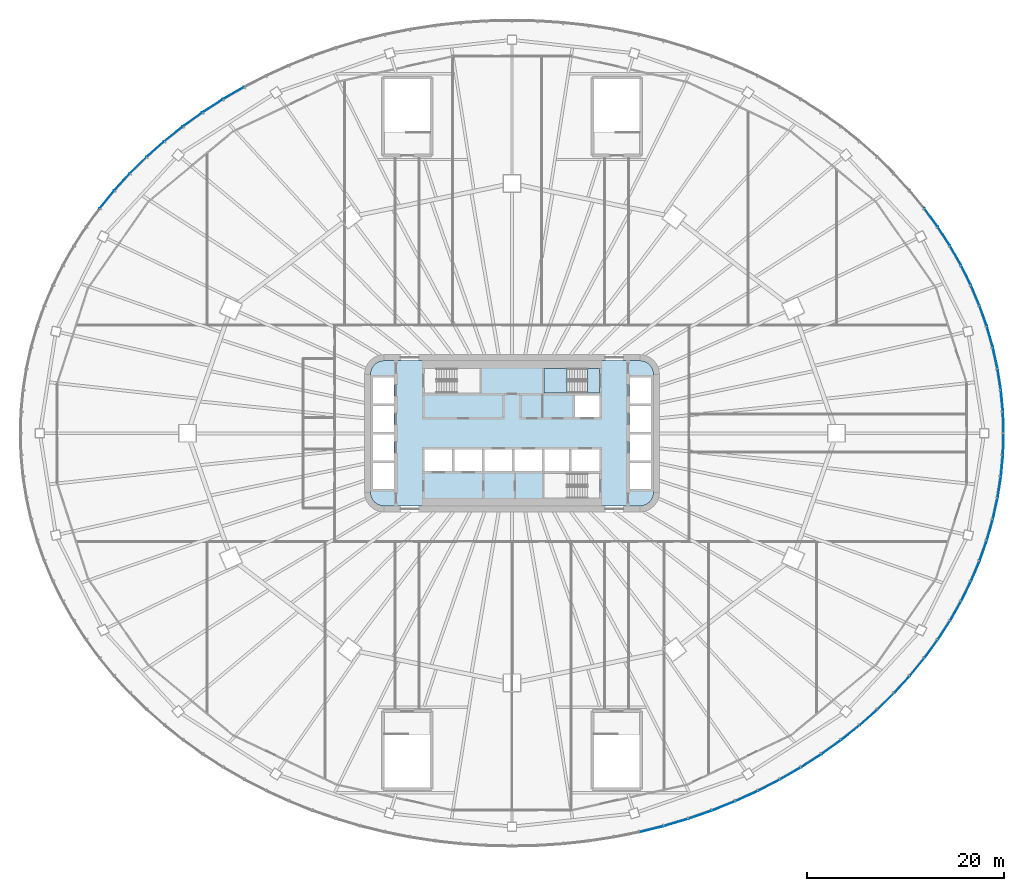
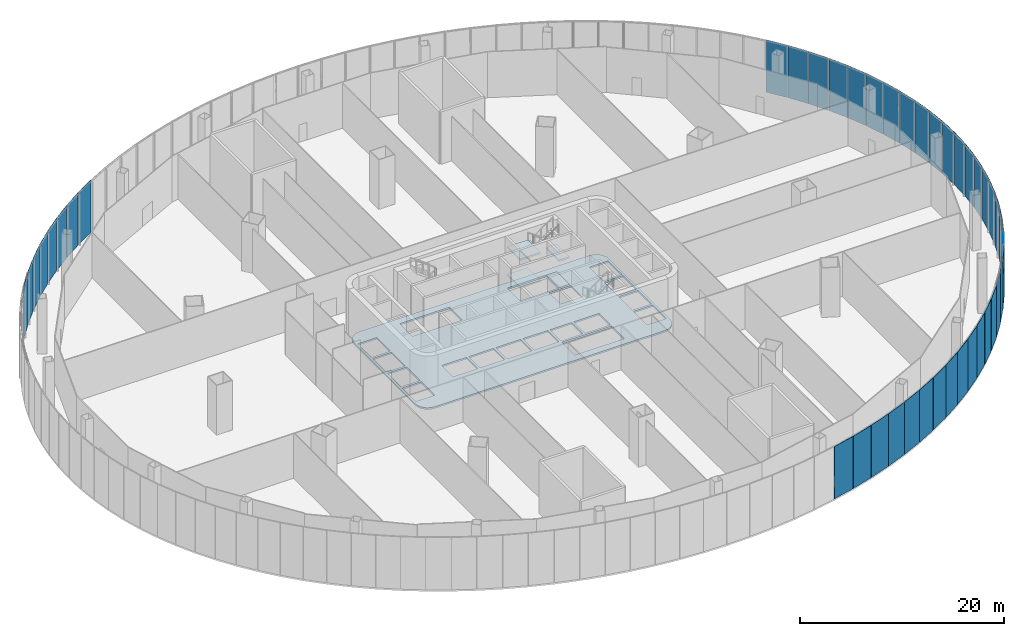
# One storey, part 17 of 33: 44 plates, 5 slabs, 11 elements without a shape of their own.
"""IFC4 building model written with IfcOpenShell, lengths in metres."""

from ifc_helpers import new_model, si_unit, direction, frame, origin, place, context, subcontext, project, spatial, polyline, outline, extrude, material, layer, layer_set, type_object, element, aggregate, save


model = new_model("IFC4")

# Units and contexts
model_context = context("Model", 3, precision=1e-05, world=origin(), true_north=direction((0.0, 1.0)))
body_context = subcontext(model_context, "Body", "Model", "MODEL_VIEW")
ifc_project = project(units=[si_unit("LENGTHUNIT", "METRE"), si_unit("AREAUNIT", "SQUARE_METRE"), si_unit("VOLUMEUNIT", "CUBIC_METRE"), si_unit("PLANEANGLEUNIT", "RADIAN"), si_unit("MASSUNIT", "GRAM", prefix="KILO")], contexts=[model_context])

# Site, building, storey
site_placement = place(None, origin())
site = spatial("IfcSite", under=ifc_project, at=site_placement, CompositionType="ELEMENT")
building_placement = place(site_placement, origin())
building = spatial("IfcBuilding", under=site, at=building_placement, Name="Sahrelin Media Tower", CompositionType="ELEMENT")
storey_placement = place(building_placement, frame((0.0, 0.0, 37.39990234375)))
storey = spatial("IfcBuildingStorey", under=building, at=storey_placement, Name="L05", CompositionType="ELEMENT", Elevation=37.39990234375)

# Slab
ifc_material_1 = material(Name="Concrete C40/50", Category="concrete")
ifc_layer_1 = layer(ifc_material_1, 0.199951171875)
ifc_layer_set_1 = layer_set([ifc_layer_1], Name="Core floor slab 200")
slab_type_1 = type_object("IfcSlabType", Name="Core floor slab 200", PredefinedType="FLOOR", material=ifc_layer_set_1)
placement = place(storey_placement, frame((0.0, 0.0, -0.199951171875)))
element("IfcSlab", 1, at=placement, inside=storey, type_object=slab_type_1, Name="Core floor", PredefinedType="FLOOR", context=body_context, shape_type="SweptSolid", body=[
    extrude(outline(polyline([(-13.986328125, 6.986328125), (-14.2080078125, 6.697509765625), (-14.347412109375, 6.361083984375), (-14.39990234375, 5.960693359375), (-14.39990234375, -5.960693359375), (-14.347412109375, -6.361083984375), (-14.2080078125, -6.697509765625), (-13.986328125, -6.986328125), (-13.697509765625, -7.2080078125), (-13.361083984375, -7.347412109375), (-12.960693359375, -7.39990234375), (12.960693359375, -7.39990234375), (13.361083984375, -7.347412109375), (13.697509765625, -7.2080078125), (13.986328125, -6.986328125), (14.2080078125, -6.697509765625), (14.347412109375, -6.361083984375), (14.39990234375, -5.960693359375), (14.39990234375, 5.960693359375), (14.347412109375, 6.361083984375), (14.2080078125, 6.697509765625), (13.986328125, 6.986328125), (13.697509765625, 7.2080078125), (13.361083984375, 7.347412109375), (12.960693359375, 7.39990234375), (-12.960693359375, 7.39990234375), (-13.361083984375, 7.347412109375), (-13.697509765625, 7.2080078125), (-13.986328125, 6.986328125)]), holes=[polyline([(-14.14990234375, 5.675048828125), (-14.14990234375, 3.02490234375), (-12.0, 3.02490234375), (-12.0, 5.675048828125), (-14.14990234375, 5.675048828125)]), polyline([(-12.0, 2.77490234375), (-14.14990234375, 2.77490234375), (-14.14990234375, 0.125), (-12.0, 0.125), (-12.0, 2.77490234375)]), polyline([(-12.0, -2.77490234375), (-12.0, -0.125), (-14.14990234375, -0.125), (-14.14990234375, -2.77490234375), (-12.0, -2.77490234375)]), polyline([(-14.14990234375, -5.675048828125), (-12.0, -5.675048828125), (-12.0, -3.02490234375), (-14.14990234375, -3.02490234375), (-14.14990234375, -5.675048828125)]), polyline([(12.0, 5.675048828125), (12.0, 3.02490234375), (14.14990234375, 3.02490234375), (14.14990234375, 5.675048828125), (12.0, 5.675048828125)]), polyline([(14.14990234375, 2.77490234375), (12.0, 2.77490234375), (12.0, 0.125), (14.14990234375, 0.125), (14.14990234375, 2.77490234375)]), polyline([(14.14990234375, -2.77490234375), (14.14990234375, -0.125), (12.0, -0.125), (12.0, -2.77490234375), (14.14990234375, -2.77490234375)]), polyline([(12.0, -5.675048828125), (14.14990234375, -5.675048828125), (14.14990234375, -3.02490234375), (12.0, -3.02490234375), (12.0, -5.675048828125)]), polyline([(6.425048828125, 3.85009765625), (6.425048828125, 1.64990234375), (8.875, 1.64990234375), (8.875, 3.85009765625), (6.425048828125, 3.85009765625)]), polyline([(-6.074951171875, -1.64990234375), (-8.875, -1.64990234375), (-8.875, -3.85009765625), (-6.074951171875, -3.85009765625), (-6.074951171875, -1.64990234375)]), polyline([(-3.02490234375, -3.85009765625), (-3.02490234375, -1.64990234375), (-5.824951171875, -1.64990234375), (-5.824951171875, -3.85009765625), (-3.02490234375, -3.85009765625)]), polyline([(-2.77490234375, -3.85009765625), (0.02490234375, -3.85009765625), (0.02490234375, -1.64990234375), (-2.77490234375, -1.64990234375), (-2.77490234375, -3.85009765625)]), polyline([(0.27490234375, -1.64990234375), (0.27490234375, -3.85009765625), (3.074951171875, -3.85009765625), (3.074951171875, -1.64990234375), (0.27490234375, -1.64990234375)]), polyline([(5.77490234375, -1.64990234375), (3.324951171875, -1.64990234375), (3.324951171875, -3.85009765625), (5.77490234375, -3.85009765625), (5.77490234375, -1.64990234375)]), polyline([(8.875, -3.85009765625), (8.875, -1.64990234375), (6.02490234375, -1.64990234375), (6.02490234375, -3.85009765625), (8.875, -3.85009765625)]), polyline([(-8.875, 6.60009765625), (-8.875, 4.10009765625), (-3.27490234375, 4.10009765625), (-3.27490234375, 6.60009765625), (-8.875, 6.60009765625)]), polyline([(3.27490234375, 4.10009765625), (8.875, 4.10009765625), (8.875, 6.60009765625), (3.27490234375, 6.60009765625), (3.27490234375, 4.10009765625)]), polyline([(3.27490234375, -4.10009765625), (3.27490234375, -6.60009765625), (8.875, -6.60009765625), (8.875, -4.10009765625), (3.27490234375, -4.10009765625)])]), origin(), (0.0, 0.0, 1.0), 0.199951171875),
])

# Curtain wall, plates
ifc_material_2 = material(Name="Champagne anodised aluminium 6063-T6", Category="aluminium")
ifc_layer_2 = layer(ifc_material_2, 0.14990234375)
ifc_layer_set_2 = layer_set([ifc_layer_2], Name="Podium ribbon curtain wall")
curtain_wall_type = type_object("IfcCurtainWallType", Name="Podium ribbon curtain wall", PredefinedType="NOTDEFINED", material=ifc_layer_set_2)
curtain_wall_1_placement = place(storey_placement, frame((50.0, 0.0, 0.0), z_axis=(0.0, 0.0, 1.0), x_axis=(1.0, 0.0, 0.0)))
curtain_wall_1 = element("IfcCurtainWall", 2, at=curtain_wall_1_placement, inside=storey, type_object=curtain_wall_type, Name="L05:CW:L05-P00", PredefinedType="NOTDEFINED")
ifc_material_3 = material(Name="Clear low-iron glazing", Category="glass")
ifc_layer_3 = layer(ifc_material_3, 0.050048828125)
ifc_layer_set_3 = layer_set([ifc_layer_3], Name="Glazing panel 50 mm CW5")
plate_type = type_object("IfcPlateType", Name="Glazing panel 50 mm CW5", PredefinedType="CURTAIN_PANEL", material=ifc_layer_set_3)
plate_1_placement = place(storey_placement, frame((50.018310546875, 0.050537109375, 0.0), z_axis=(0.999515505573, 0.031124815153, 0.0), x_axis=(-0.031124815153, 0.999515505573, 0.0)))
plate_1 = element("IfcPlate", 3, at=plate_1_placement, type_object=plate_type, Name="L05:CWP1a:L05-P00", PredefinedType="CURTAIN_PANEL", context=body_context, shape_type="SweptSolid", body=[
    extrude(outline(polyline([(0.0, 0.0), (2.149169921875, 0.0), (2.149169921875, 6.25), (0.0, 6.25), (0.0, 0.0)])), origin(), (0.0, 0.0, -1.0), 0.050048828125),
])
plate_2_placement = place(storey_placement, frame((49.94677734375, 2.249755859375, 0.0), z_axis=(0.995641143161, 0.093266896829, 0.0), x_axis=(-0.093266896829, 0.995641143161, 0.0)))
plate_2 = element("IfcPlate", 4, at=plate_2_placement, type_object=plate_type, Name="L05:CWP2a:L05-P00", PredefinedType="CURTAIN_PANEL", context=body_context, shape_type="SweptSolid", body=[
    extrude(outline(polyline([(0.0, 0.0), (2.151611328125, 0.0), (2.151611328125, 6.25), (0.0, 6.25), (0.0, 0.0)])), origin(), (0.0, 0.0, -1.0), 0.050048828125),
])
plate_3_placement = place(storey_placement, frame((49.738037109375, 4.442626953125, 0.0), z_axis=(0.987953146465, 0.154753288784, 0.0), x_axis=(-0.154753288784, 0.987953146465, 0.0)))
plate_3 = element("IfcPlate", 5, at=plate_3_placement, type_object=plate_type, Name="L05:CWP3a:L05-P00", PredefinedType="CURTAIN_PANEL", context=body_context, shape_type="SweptSolid", body=[
    extrude(outline(polyline([(0.0, 0.0), (2.156494140625, 0.0), (2.156494140625, 6.25), (0.0, 6.25), (0.0, 0.0)])), origin(), (0.0, 0.0, -1.0), 0.050048828125),
])
plate_4_placement = place(storey_placement, frame((49.393310546875, 6.623291015625, 0.0), z_axis=(0.976509812281, 0.21547293686, 0.0), x_axis=(-0.21547293686, 0.976509812281, 0.0)))
plate_4 = element("IfcPlate", 6, at=plate_4_placement, type_object=plate_type, Name="L05:CWP4a:L05-P00", PredefinedType="CURTAIN_PANEL", context=body_context, shape_type="SweptSolid", body=[
    extrude(outline(polyline([(0.0, 0.0), (2.1640625, 0.0), (2.1640625, 6.25), (0.0, 6.25), (0.0, 0.0)])), origin(), (0.0, 0.0, -1.0), 0.050048828125),
])
plate_5_placement = place(storey_placement, frame((48.912841796875, 8.785888671875, 0.0), z_axis=(0.961494274984, 0.274824960972, 0.0), x_axis=(-0.274824960972, 0.961494274984, 0.0)))
plate_5 = element("IfcPlate", 7, at=plate_5_placement, type_object=plate_type, Name="L05:CWP5a:L05-P00", PredefinedType="CURTAIN_PANEL", context=body_context, shape_type="SweptSolid", body=[
    extrude(outline(polyline([(0.0, 0.0), (2.173828125, 0.0), (2.173828125, 6.25), (0.0, 6.25), (0.0, 0.0)])), origin(), (0.0, 0.0, -1.0), 0.050048828125),
])
aggregate(curtain_wall_1, [plate_1, plate_2, plate_3, plate_4, plate_5])

curtain_wall_2_placement = place(storey_placement, frame((48.29638671875, 10.870361328125, 0.0), z_axis=(0.0, 0.0, 1.0), x_axis=(1.0, 0.0, 0.0)))
curtain_wall_2 = element("IfcCurtainWall", 8, at=curtain_wall_2_placement, inside=storey, type_object=curtain_wall_type, Name="L05:CW:L05-P01", PredefinedType="NOTDEFINED")
plate_6_placement = place(storey_placement, frame((48.298583984375, 10.92431640625, 0.0), z_axis=(0.943078982839, 0.332568838179, 0.0), x_axis=(-0.332568838179, 0.943078982839, 0.0)))
plate_6 = element("IfcPlate", 9, at=plate_6_placement, type_object=plate_type, Name="L05:CWP1a:L05-P01", PredefinedType="CURTAIN_PANEL", context=body_context, shape_type="SweptSolid", body=[
    extrude(outline(polyline([(0.0, 0.0), (2.185546875, 0.0), (2.185546875, 6.25), (0.0, 6.25), (0.0, 0.0)])), origin(), (0.0, 0.0, -1.0), 0.050048828125),
])
plate_7_placement = place(storey_placement, frame((47.5517578125, 13.032470703125, 0.0), z_axis=(0.921499510247, 0.388379521363, 0.0), x_axis=(-0.388379521363, 0.921499510247, 0.0)))
plate_7 = element("IfcPlate", 10, at=plate_7_placement, type_object=plate_type, Name="L05:CWP2a:L05-P01", PredefinedType="CURTAIN_PANEL", context=body_context, shape_type="SweptSolid", body=[
    extrude(outline(polyline([(0.0, 0.0), (2.199462890625, 0.0), (2.199462890625, 6.25), (0.0, 6.25), (0.0, 0.0)])), origin(), (0.0, 0.0, -1.0), 0.050048828125),
])
plate_8_placement = place(storey_placement, frame((46.6748046875, 15.105224609375, 0.0), z_axis=(0.896904409808, 0.442224467513, 0.0), x_axis=(-0.442224467513, 0.896904409808, 0.0)))
plate_8 = element("IfcPlate", 11, at=plate_8_placement, type_object=plate_type, Name="L05:CWP3a:L05-P01", PredefinedType="CURTAIN_PANEL", context=body_context, shape_type="SweptSolid", body=[
    extrude(outline(polyline([(0.0, 0.0), (2.21484375, 0.0), (2.21484375, 6.25), (0.0, 6.25), (0.0, 0.0)])), origin(), (0.0, 0.0, -1.0), 0.050048828125),
])
plate_9_placement = place(storey_placement, frame((45.669921875, 17.13623046875, 0.0), z_axis=(0.869579307172, 0.493793305481, 0.0), x_axis=(-0.493793305481, 0.869579307172, 0.0)))
plate_9 = element("IfcPlate", 12, at=plate_9_placement, type_object=plate_type, Name="L05:CWP4a:L05-P01", PredefinedType="CURTAIN_PANEL", context=body_context, shape_type="SweptSolid", body=[
    extrude(outline(polyline([(0.0, 0.0), (2.232421875, 0.0), (2.232421875, 6.25), (0.0, 6.25), (0.0, 0.0)])), origin(), (0.0, 0.0, -1.0), 0.050048828125),
])
plate_10_placement = place(storey_placement, frame((44.5400390625, 19.120361328125, 0.0), z_axis=(0.839858100208, 0.542806016469, 0.0), x_axis=(-0.542806016469, 0.839858100208, 0.0)))
plate_10 = element("IfcPlate", 13, at=plate_10_placement, type_object=plate_type, Name="L05:CWP5a:L05-P01", PredefinedType="CURTAIN_PANEL", context=body_context, shape_type="SweptSolid", body=[
    extrude(outline(polyline([(0.0, 0.0), (2.251220703125, 0.0), (2.251220703125, 6.25), (0.0, 6.25), (0.0, 0.0)])), origin(), (0.0, 0.0, -1.0), 0.050048828125),
])
aggregate(curtain_wall_2, [plate_6, plate_7, plate_8, plate_9, plate_10])

# Curtain wall, plate
curtain_wall_3_placement = place(storey_placement, frame((43.30126953125, 21.0, 0.0), z_axis=(0.0, 0.0, 1.0), x_axis=(1.0, 0.0, 0.0)))
curtain_wall_3 = element("IfcCurtainWall", 14, at=curtain_wall_3_placement, inside=storey, type_object=curtain_wall_type, Name="L05:CW:L05-P02", PredefinedType="NOTDEFINED")
plate_11_placement = place(storey_placement, frame((43.2880859375, 21.05224609375, 0.0), z_axis=(0.807851823107, 0.589385639376, 0.0), x_axis=(-0.589385639376, 0.807851823107, 0.0)))
plate_11 = element("IfcPlate", 15, at=plate_11_placement, type_object=plate_type, Name="L05:CWP1a:L05-P02", PredefinedType="CURTAIN_PANEL", context=body_context, shape_type="SweptSolid", body=[
    extrude(outline(polyline([(0.0, 0.0), (2.270751953125, 0.0), (2.270751953125, 6.25), (0.0, 6.25), (0.0, 0.0)])), origin(), (0.0, 0.0, -1.0), 0.050048828125),
])
aggregate(curtain_wall_3, [plate_11])

# Curtain wall, plates
curtain_wall_4_placement = place(storey_placement, frame((-25.0, 36.373046875, 0.0), z_axis=(0.0, 0.0, 1.0), x_axis=(1.0, 0.0, 0.0)))
curtain_wall_4 = element("IfcCurtainWall", 16, at=curtain_wall_4_placement, inside=storey, type_object=curtain_wall_type, Name="L05:CW:L05-P08", PredefinedType="NOTDEFINED")
plate_12_placement = place(storey_placement, frame((-27.285400390625, 35.216552734375, 0.0), z_axis=(-0.499979298005, 0.866037355757, 0.0), x_axis=(-0.866037355757, -0.499979298005, 0.0)))
plate_12 = element("IfcPlate", 17, at=plate_12_placement, type_object=plate_type, Name="L05:CWP2a:L05-P08", PredefinedType="CURTAIN_PANEL", context=body_context, shape_type="SweptSolid", body=[
    extrude(outline(polyline([(0.0, 0.0), (2.44091796875, 0.0), (2.44091796875, 6.25), (0.0, 6.25), (0.0, 0.0)])), origin(), (0.0, 0.0, -1.0), 0.050048828125),
])
plate_13_placement = place(storey_placement, frame((-29.442138671875, 33.968505859375, 0.0), z_axis=(-0.541786842033, 0.840515923585, 0.0), x_axis=(-0.840515923585, -0.541786842033, 0.0)))
plate_13 = element("IfcPlate", 18, at=plate_13_placement, type_object=plate_type, Name="L05:CWP3a:L05-P08", PredefinedType="CURTAIN_PANEL", context=body_context, shape_type="SweptSolid", body=[
    extrude(outline(polyline([(0.0, 0.0), (2.420654296875, 0.0), (2.420654296875, 6.25), (0.0, 6.25), (0.0, 0.0)])), origin(), (0.0, 0.0, -1.0), 0.050048828125),
])
plate_14_placement = place(storey_placement, frame((-31.518310546875, 32.627197265625, 0.0), z_axis=(-0.582853846975, 0.812577007469, 0.0), x_axis=(-0.812577007469, -0.582853846975, 0.0)))
plate_14 = element("IfcPlate", 19, at=plate_14_placement, type_object=plate_type, Name="L05:CWP4a:L05-P08", PredefinedType="CURTAIN_PANEL", context=body_context, shape_type="SweptSolid", body=[
    extrude(outline(polyline([(0.0, 0.0), (2.399658203125, 0.0), (2.399658203125, 6.25), (0.0, 6.25), (0.0, 0.0)])), origin(), (0.0, 0.0, -1.0), 0.050048828125),
])
plate_15_placement = place(storey_placement, frame((-33.508056640625, 31.196533203125, 0.0), z_axis=(-0.623291989144, 0.781989191913, 0.0), x_axis=(-0.781989191913, -0.623291989144, 0.0)))
plate_15 = element("IfcPlate", 20, at=plate_15_placement, type_object=plate_type, Name="L05:CWP5a:L05-P08", PredefinedType="CURTAIN_PANEL", context=body_context, shape_type="SweptSolid", body=[
    extrude(outline(polyline([(0.0, 0.0), (2.37841796875, 0.0), (2.37841796875, 6.25), (0.0, 6.25), (0.0, 0.0)])), origin(), (0.0, 0.0, -1.0), 0.050048828125),
])
aggregate(curtain_wall_4, [plate_12, plate_13, plate_14, plate_15])

curtain_wall_5_placement = place(storey_placement, frame((-35.355224609375, 29.698486328125, 0.0), z_axis=(0.0, 0.0, 1.0), x_axis=(1.0, 0.0, 0.0)))
curtain_wall_5 = element("IfcCurtainWall", 21, at=curtain_wall_5_placement, inside=storey, type_object=curtain_wall_type, Name="L05:CW:L05-P09", PredefinedType="NOTDEFINED")
plate_16_placement = place(storey_placement, frame((-35.406005859375, 29.680419921875, 0.0), z_axis=(-0.662857735078, 0.74874536596, 0.0), x_axis=(-0.74874536596, -0.662857735078, 0.0)))
plate_16 = element("IfcPlate", 22, at=plate_16_placement, type_object=plate_type, Name="L05:CWP1a:L05-P09", PredefinedType="CURTAIN_PANEL", context=body_context, shape_type="SweptSolid", body=[
    extrude(outline(polyline([(0.0, 0.0), (2.3564453125, 0.0), (2.3564453125, 6.25), (0.0, 6.25), (0.0, 0.0)])), origin(), (0.0, 0.0, -1.0), 0.050048828125),
])
plate_17_placement = place(storey_placement, frame((-37.206787109375, 28.082763671875, 0.0), z_axis=(-0.701173622887, 0.712990568358, 0.0), x_axis=(-0.712990568358, -0.701173622887, 0.0)))
plate_17 = element("IfcPlate", 23, at=plate_17_placement, type_object=plate_type, Name="L05:CWP2a:L05-P09", PredefinedType="CURTAIN_PANEL", context=body_context, shape_type="SweptSolid", body=[
    extrude(outline(polyline([(0.0, 0.0), (2.334716796875, 0.0), (2.334716796875, 6.25), (0.0, 6.25), (0.0, 0.0)])), origin(), (0.0, 0.0, -1.0), 0.050048828125),
])
plate_18_placement = place(storey_placement, frame((-38.90576171875, 26.408203125, 0.0), z_axis=(-0.738366649953, 0.674399503438, 0.0), x_axis=(-0.674399503438, -0.738366649953, 0.0)))
plate_18 = element("IfcPlate", 24, at=plate_18_placement, type_object=plate_type, Name="L05:CWP3a:L05-P09", PredefinedType="CURTAIN_PANEL", context=body_context, shape_type="SweptSolid", body=[
    extrude(outline(polyline([(0.0, 0.0), (2.31298828125, 0.0), (2.31298828125, 6.25), (0.0, 6.25), (0.0, 0.0)])), origin(), (0.0, 0.0, -1.0), 0.050048828125),
])
plate_19_placement = place(storey_placement, frame((-40.497802734375, 24.660888671875, 0.0), z_axis=(-0.773919322532, 0.633284203349, 0.0), x_axis=(-0.633284203349, -0.773919322532, 0.0)))
plate_19 = element("IfcPlate", 25, at=plate_19_placement, type_object=plate_type, Name="L05:CWP4a:L05-P09", PredefinedType="CURTAIN_PANEL", context=body_context, shape_type="SweptSolid", body=[
    extrude(outline(polyline([(0.0, 0.0), (2.29150390625, 0.0), (2.29150390625, 6.25), (0.0, 6.25), (0.0, 0.0)])), origin(), (0.0, 0.0, -1.0), 0.050048828125),
])
aggregate(curtain_wall_5, [plate_16, plate_17, plate_18, plate_19])

curtain_wall_6_placement = place(storey_placement, frame((12.94091796875, -40.56884765625, 0.0), z_axis=(0.0, 0.0, 1.0), x_axis=(1.0, 0.0, 0.0)))
curtain_wall_6 = element("IfcCurtainWall", 26, at=curtain_wall_6_placement, inside=storey, type_object=curtain_wall_type, Name="L05:CW:L05-P19", PredefinedType="NOTDEFINED")
plate_20_placement = place(storey_placement, frame((12.994384765625, -40.576171875, 0.0), z_axis=(0.241425619685, -0.970419326971, 0.0), x_axis=(0.970419326971, 0.241425619685, 0.0)))
plate_20 = element("IfcPlate", 27, at=plate_20_placement, type_object=plate_type, Name="L05:CWP1a:L05-P19", PredefinedType="CURTAIN_PANEL", context=body_context, shape_type="SweptSolid", body=[
    extrude(outline(polyline([(0.0, 0.0), (2.5361328125, 0.0), (2.5361328125, 6.25), (0.0, 6.25), (0.0, 0.0)])), origin(), (0.0, 0.0, -1.0), 0.050048828125),
])
plate_21_placement = place(storey_placement, frame((15.50439453125, -39.94921875, 0.0), z_axis=(0.285102349758, -0.958497078849, 0.0), x_axis=(0.958497078849, 0.285102349758, 0.0)))
plate_21 = element("IfcPlate", 28, at=plate_21_placement, type_object=plate_type, Name="L05:CWP2a:L05-P19", PredefinedType="CURTAIN_PANEL", context=body_context, shape_type="SweptSolid", body=[
    extrude(outline(polyline([(0.0, 0.0), (2.5244140625, 0.0), (2.5244140625, 6.25), (0.0, 6.25), (0.0, 0.0)])), origin(), (0.0, 0.0, -1.0), 0.050048828125),
])
plate_22_placement = place(storey_placement, frame((17.97216796875, -39.212890625, 0.0), z_axis=(0.328656390674, -0.944449562904, 0.0), x_axis=(0.944449562904, 0.328656390674, 0.0)))
plate_22 = element("IfcPlate", 29, at=plate_22_placement, type_object=plate_type, Name="L05:CWP3a:L05-P19", PredefinedType="CURTAIN_PANEL", context=body_context, shape_type="SweptSolid", body=[
    extrude(outline(polyline([(0.0, 0.0), (2.5107421875, 0.0), (2.5107421875, 6.25), (0.0, 6.25), (0.0, 0.0)])), origin(), (0.0, 0.0, -1.0), 0.050048828125),
])
plate_23_placement = place(storey_placement, frame((20.390625, -38.368896484375, 0.0), z_axis=(0.371913588766, -0.928267355071, 0.0), x_axis=(0.928267355071, 0.371913588766, 0.0)))
plate_23 = element("IfcPlate", 30, at=plate_23_placement, type_object=plate_type, Name="L05:CWP4a:L05-P19", PredefinedType="CURTAIN_PANEL", context=body_context, shape_type="SweptSolid", body=[
    extrude(outline(polyline([(0.0, 0.0), (2.4951171875, 0.0), (2.4951171875, 6.25), (0.0, 6.25), (0.0, 0.0)])), origin(), (0.0, 0.0, -1.0), 0.050048828125),
])
plate_24_placement = place(storey_placement, frame((22.75341796875, -37.419677734375, 0.0), z_axis=(0.414930786604, -0.909852978413, 0.0), x_axis=(0.909852978413, 0.414930786604, 0.0)))
plate_24 = element("IfcPlate", 31, at=plate_24_placement, type_object=plate_type, Name="L05:CWP5a:L05-P19", PredefinedType="CURTAIN_PANEL", context=body_context, shape_type="SweptSolid", body=[
    extrude(outline(polyline([(0.0, 0.0), (2.478271484375, 0.0), (2.478271484375, 6.25), (0.0, 6.25), (0.0, 0.0)])), origin(), (0.0, 0.0, -1.0), 0.050048828125),
])
aggregate(curtain_wall_6, [plate_20, plate_21, plate_22, plate_23, plate_24])

curtain_wall_7_placement = place(storey_placement, frame((25.0, -36.373046875, 0.0), z_axis=(0.0, 0.0, 1.0), x_axis=(1.0, 0.0, 0.0)))
curtain_wall_7 = element("IfcCurtainWall", 32, at=curtain_wall_7_placement, inside=storey, type_object=curtain_wall_type, Name="L05:CW:L05-P20", PredefinedType="NOTDEFINED")
plate_25_placement = place(storey_placement, frame((25.0537109375, -36.367919921875, 0.0), z_axis=(0.457661890487, -0.88912630936, 0.0), x_axis=(0.88912630936, 0.457661890487, 0.0)))
plate_25 = element("IfcPlate", 33, at=plate_25_placement, type_object=plate_type, Name="L05:CWP1a:L05-P20", PredefinedType="CURTAIN_PANEL", context=body_context, shape_type="SweptSolid", body=[
    extrude(outline(polyline([(0.0, 0.0), (2.460205078125, 0.0), (2.460205078125, 6.25), (0.0, 6.25), (0.0, 0.0)])), origin(), (0.0, 0.0, -1.0), 0.050048828125),
])
plate_26_placement = place(storey_placement, frame((27.285400390625, -35.216552734375, 0.0), z_axis=(0.499979298005, -0.866037355757, 0.0), x_axis=(0.866037355757, 0.499979298005, 0.0)))
plate_26 = element("IfcPlate", 34, at=plate_26_placement, type_object=plate_type, Name="L05:CWP2a:L05-P20", PredefinedType="CURTAIN_PANEL", context=body_context, shape_type="SweptSolid", body=[
    extrude(outline(polyline([(0.0, 0.0), (2.44091796875, 0.0), (2.44091796875, 6.25), (0.0, 6.25), (0.0, 0.0)])), origin(), (0.0, 0.0, -1.0), 0.050048828125),
])
plate_27_placement = place(storey_placement, frame((29.442138671875, -33.968505859375, 0.0), z_axis=(0.541786842033, -0.840515923585, 0.0), x_axis=(0.840515923585, 0.541786842033, 0.0)))
plate_27 = element("IfcPlate", 35, at=plate_27_placement, type_object=plate_type, Name="L05:CWP3a:L05-P20", PredefinedType="CURTAIN_PANEL", context=body_context, shape_type="SweptSolid", body=[
    extrude(outline(polyline([(0.0, 0.0), (2.420654296875, 0.0), (2.420654296875, 6.25), (0.0, 6.25), (0.0, 0.0)])), origin(), (0.0, 0.0, -1.0), 0.050048828125),
])
plate_28_placement = place(storey_placement, frame((31.518310546875, -32.627197265625, 0.0), z_axis=(0.582853846975, -0.812577007469, 0.0), x_axis=(0.812577007469, 0.582853846975, 0.0)))
plate_28 = element("IfcPlate", 36, at=plate_28_placement, type_object=plate_type, Name="L05:CWP4a:L05-P20", PredefinedType="CURTAIN_PANEL", context=body_context, shape_type="SweptSolid", body=[
    extrude(outline(polyline([(0.0, 0.0), (2.399658203125, 0.0), (2.399658203125, 6.25), (0.0, 6.25), (0.0, 0.0)])), origin(), (0.0, 0.0, -1.0), 0.050048828125),
])
plate_29_placement = place(storey_placement, frame((33.508056640625, -31.196533203125, 0.0), z_axis=(0.623291989144, -0.781989191913, 0.0), x_axis=(0.781989191913, 0.623291989144, 0.0)))
plate_29 = element("IfcPlate", 37, at=plate_29_placement, type_object=plate_type, Name="L05:CWP5a:L05-P20", PredefinedType="CURTAIN_PANEL", context=body_context, shape_type="SweptSolid", body=[
    extrude(outline(polyline([(0.0, 0.0), (2.37841796875, 0.0), (2.37841796875, 6.25), (0.0, 6.25), (0.0, 0.0)])), origin(), (0.0, 0.0, -1.0), 0.050048828125),
])
aggregate(curtain_wall_7, [plate_25, plate_26, plate_27, plate_28, plate_29])

curtain_wall_8_placement = place(storey_placement, frame((35.355224609375, -29.698486328125, 0.0), z_axis=(0.0, 0.0, 1.0), x_axis=(1.0, 0.0, 0.0)))
curtain_wall_8 = element("IfcCurtainWall", 38, at=curtain_wall_8_placement, inside=storey, type_object=curtain_wall_type, Name="L05:CW:L05-P21", PredefinedType="NOTDEFINED")
plate_30_placement = place(storey_placement, frame((35.406005859375, -29.680419921875, 0.0), z_axis=(0.662857735078, -0.74874536596, 0.0), x_axis=(0.74874536596, 0.662857735078, 0.0)))
plate_30 = element("IfcPlate", 39, at=plate_30_placement, type_object=plate_type, Name="L05:CWP1a:L05-P21", PredefinedType="CURTAIN_PANEL", context=body_context, shape_type="SweptSolid", body=[
    extrude(outline(polyline([(0.0, 0.0), (2.3564453125, 0.0), (2.3564453125, 6.25), (0.0, 6.25), (0.0, 0.0)])), origin(), (0.0, 0.0, -1.0), 0.050048828125),
])
plate_31_placement = place(storey_placement, frame((37.206787109375, -28.082763671875, 0.0), z_axis=(0.701173622887, -0.712990568358, 0.0), x_axis=(0.712990568358, 0.701173622887, 0.0)))
plate_31 = element("IfcPlate", 40, at=plate_31_placement, type_object=plate_type, Name="L05:CWP2a:L05-P21", PredefinedType="CURTAIN_PANEL", context=body_context, shape_type="SweptSolid", body=[
    extrude(outline(polyline([(0.0, 0.0), (2.334716796875, 0.0), (2.334716796875, 6.25), (0.0, 6.25), (0.0, 0.0)])), origin(), (0.0, 0.0, -1.0), 0.050048828125),
])
plate_32_placement = place(storey_placement, frame((38.90576171875, -26.408203125, 0.0), z_axis=(0.738366649953, -0.674399503438, 0.0), x_axis=(0.674399503438, 0.738366649953, 0.0)))
plate_32 = element("IfcPlate", 41, at=plate_32_placement, type_object=plate_type, Name="L05:CWP3a:L05-P21", PredefinedType="CURTAIN_PANEL", context=body_context, shape_type="SweptSolid", body=[
    extrude(outline(polyline([(0.0, 0.0), (2.31298828125, 0.0), (2.31298828125, 6.25), (0.0, 6.25), (0.0, 0.0)])), origin(), (0.0, 0.0, -1.0), 0.050048828125),
])
plate_33_placement = place(storey_placement, frame((40.497802734375, -24.660888671875, 0.0), z_axis=(0.773919322532, -0.633284203349, 0.0), x_axis=(0.633284203349, 0.773919322532, 0.0)))
plate_33 = element("IfcPlate", 42, at=plate_33_placement, type_object=plate_type, Name="L05:CWP4a:L05-P21", PredefinedType="CURTAIN_PANEL", context=body_context, shape_type="SweptSolid", body=[
    extrude(outline(polyline([(0.0, 0.0), (2.29150390625, 0.0), (2.29150390625, 6.25), (0.0, 6.25), (0.0, 0.0)])), origin(), (0.0, 0.0, -1.0), 0.050048828125),
])
plate_34_placement = place(storey_placement, frame((41.97900390625, -22.84619140625, 0.0), z_axis=(0.807851823107, -0.589385639376, 0.0), x_axis=(0.589385639376, 0.807851823107, 0.0)))
plate_34 = element("IfcPlate", 43, at=plate_34_placement, type_object=plate_type, Name="L05:CWP5a:L05-P21", PredefinedType="CURTAIN_PANEL", context=body_context, shape_type="SweptSolid", body=[
    extrude(outline(polyline([(0.0, 0.0), (2.270751953125, 0.0), (2.270751953125, 6.25), (0.0, 6.25), (0.0, 0.0)])), origin(), (0.0, 0.0, -1.0), 0.050048828125),
])
aggregate(curtain_wall_8, [plate_30, plate_31, plate_32, plate_33, plate_34])

curtain_wall_9_placement = place(storey_placement, frame((43.30126953125, -21.0, 0.0), z_axis=(0.0, 0.0, 1.0), x_axis=(1.0, 0.0, 0.0)))
curtain_wall_9 = element("IfcCurtainWall", 44, at=curtain_wall_9_placement, inside=storey, type_object=curtain_wall_type, Name="L05:CW:L05-P22", PredefinedType="NOTDEFINED")
plate_35_placement = place(storey_placement, frame((43.34521484375, -20.968994140625, 0.0), z_axis=(0.8398261415, -0.542855461476, 0.0), x_axis=(0.542855461476, 0.8398261415, 0.0)))
plate_35 = element("IfcPlate", 45, at=plate_35_placement, type_object=plate_type, Name="L05:CWP1a:L05-P22", PredefinedType="CURTAIN_PANEL", context=body_context, shape_type="SweptSolid", body=[
    extrude(outline(polyline([(0.0, 0.0), (2.2509765625, 0.0), (2.2509765625, 6.25), (0.0, 6.25), (0.0, 0.0)])), origin(), (0.0, 0.0, -1.0), 0.050048828125),
])
plate_36_placement = place(storey_placement, frame((44.59228515625, -19.033935546875, 0.0), z_axis=(0.869579307172, -0.493793305481, 0.0), x_axis=(0.493793305481, 0.869579307172, 0.0)))
plate_36 = element("IfcPlate", 46, at=plate_36_placement, type_object=plate_type, Name="L05:CWP2a:L05-P22", PredefinedType="CURTAIN_PANEL", context=body_context, shape_type="SweptSolid", body=[
    extrude(outline(polyline([(0.0, 0.0), (2.232421875, 0.0), (2.232421875, 6.25), (0.0, 6.25), (0.0, 0.0)])), origin(), (0.0, 0.0, -1.0), 0.050048828125),
])
plate_37_placement = place(storey_placement, frame((45.71728515625, -17.046875, 0.0), z_axis=(0.896860688501, -0.442313130509, 0.0), x_axis=(0.442313130509, 0.896860688501, 0.0)))
plate_37 = element("IfcPlate", 47, at=plate_37_placement, type_object=plate_type, Name="L05:CWP3a:L05-P22", PredefinedType="CURTAIN_PANEL", context=body_context, shape_type="SweptSolid", body=[
    extrude(outline(polyline([(0.0, 0.0), (2.215087890625, 0.0), (2.215087890625, 6.25), (0.0, 6.25), (0.0, 0.0)])), origin(), (0.0, 0.0, -1.0), 0.050048828125),
])
plate_38_placement = place(storey_placement, frame((46.716796875, -15.01318359375, 0.0), z_axis=(0.921443029492, -0.388513504785, 0.0), x_axis=(0.388513504785, 0.921443029492, 0.0)))
plate_38 = element("IfcPlate", 48, at=plate_38_placement, type_object=plate_type, Name="L05:CWP4a:L05-P22", PredefinedType="CURTAIN_PANEL", context=body_context, shape_type="SweptSolid", body=[
    extrude(outline(polyline([(0.0, 0.0), (2.199462890625, 0.0), (2.199462890625, 6.25), (0.0, 6.25), (0.0, 0.0)])), origin(), (0.0, 0.0, -1.0), 0.050048828125),
])
plate_39_placement = place(storey_placement, frame((47.58837890625, -12.938232421875, 0.0), z_axis=(0.943078982839, -0.332568838179, 0.0), x_axis=(0.332568838179, 0.943078982839, 0.0)))
plate_39 = element("IfcPlate", 49, at=plate_39_placement, type_object=plate_type, Name="L05:CWP5a:L05-P22", PredefinedType="CURTAIN_PANEL", context=body_context, shape_type="SweptSolid", body=[
    extrude(outline(polyline([(0.0, 0.0), (2.185546875, 0.0), (2.185546875, 6.25), (0.0, 6.25), (0.0, 0.0)])), origin(), (0.0, 0.0, -1.0), 0.050048828125),
])
aggregate(curtain_wall_9, [plate_35, plate_36, plate_37, plate_38, plate_39])

curtain_wall_10_placement = place(storey_placement, frame((48.29638671875, -10.870361328125, 0.0), z_axis=(0.0, 0.0, 1.0), x_axis=(1.0, 0.0, 0.0)))
curtain_wall_10 = element("IfcCurtainWall", 50, at=curtain_wall_10_placement, inside=storey, type_object=curtain_wall_type, Name="L05:CW:L05-P23", PredefinedType="NOTDEFINED")
plate_40_placement = place(storey_placement, frame((48.329345703125, -10.827880859375, 0.0), z_axis=(0.961523947641, -0.274721127897, 0.0), x_axis=(0.274721127897, 0.961523947641, 0.0)))
plate_40 = element("IfcPlate", 51, at=plate_40_placement, type_object=plate_type, Name="L05:CWP1a:L05-P23", PredefinedType="CURTAIN_PANEL", context=body_context, shape_type="SweptSolid", body=[
    extrude(outline(polyline([(0.0, 0.0), (2.173828125, 0.0), (2.173828125, 6.25), (0.0, 6.25), (0.0, 0.0)])), origin(), (0.0, 0.0, -1.0), 0.050048828125),
])
plate_41_placement = place(storey_placement, frame((48.937744140625, -8.687744140625, 0.0), z_axis=(0.976533544089, -0.215365357632, 0.0), x_axis=(0.215365357632, 0.976533544089, 0.0)))
plate_41 = element("IfcPlate", 52, at=plate_41_placement, type_object=plate_type, Name="L05:CWP2a:L05-P23", PredefinedType="CURTAIN_PANEL", context=body_context, shape_type="SweptSolid", body=[
    extrude(outline(polyline([(0.0, 0.0), (2.1640625, 0.0), (2.1640625, 6.25), (0.0, 6.25), (0.0, 0.0)])), origin(), (0.0, 0.0, -1.0), 0.050048828125),
])
plate_42_placement = place(storey_placement, frame((49.411865234375, -6.52392578125, 0.0), z_axis=(0.987935832561, -0.154863781247, 0.0), x_axis=(0.154863781247, 0.987935832561, 0.0)))
plate_42 = element("IfcPlate", 53, at=plate_42_placement, type_object=plate_type, Name="L05:CWP3a:L05-P23", PredefinedType="CURTAIN_PANEL", context=body_context, shape_type="SweptSolid", body=[
    extrude(outline(polyline([(0.0, 0.0), (2.15673828125, 0.0), (2.15673828125, 6.25), (0.0, 6.25), (0.0, 0.0)])), origin(), (0.0, 0.0, -1.0), 0.050048828125),
])
plate_43_placement = place(storey_placement, frame((49.750732421875, -4.34228515625, 0.0), z_axis=(0.995641143161, -0.093266896829, 0.0), x_axis=(0.093266896829, 0.995641143161, 0.0)))
plate_43 = element("IfcPlate", 54, at=plate_43_placement, type_object=plate_type, Name="L05:CWP4a:L05-P23", PredefinedType="CURTAIN_PANEL", context=body_context, shape_type="SweptSolid", body=[
    extrude(outline(polyline([(0.0, 0.0), (2.151611328125, 0.0), (2.151611328125, 6.25), (0.0, 6.25), (0.0, 0.0)])), origin(), (0.0, 0.0, -1.0), 0.050048828125),
])
plate_44_placement = place(storey_placement, frame((49.952880859375, -2.148681640625, 0.0), z_axis=(0.999511965258, -0.031238298721, 0.0), x_axis=(0.031238298721, 0.999511965258, 0.0)))
plate_44 = element("IfcPlate", 55, at=plate_44_placement, type_object=plate_type, Name="L05:CWP5a:L05-P23", PredefinedType="CURTAIN_PANEL", context=body_context, shape_type="SweptSolid", body=[
    extrude(outline(polyline([(0.0, 0.0), (2.149169921875, 0.0), (2.149169921875, 6.25), (0.0, 6.25), (0.0, 0.0)])), origin(), (0.0, 0.0, -1.0), 0.050048828125),
])
aggregate(curtain_wall_10, [plate_40, plate_41, plate_42, plate_43, plate_44])

# Stair, slabs
stair_type = type_object("IfcStairType", Name="Exit stair 1200", PredefinedType="HALF_TURN_STAIR", material=ifc_material_1)
stair_placement = place(storey_placement, origin())
stair = element("IfcStair", 56, at=stair_placement, inside=storey, type_object=stair_type, Name="L05 Exit stair ST3", PredefinedType="HALF_TURN_STAIR")
ifc_layer_4 = layer(ifc_material_1, 0.199951171875)
ifc_layer_set_4 = layer_set([ifc_layer_4], Name="Stair landing 200")
slab_type_2 = type_object("IfcSlabType", Name="Stair landing 200", PredefinedType="LANDING", material=ifc_layer_set_4)
slab_2_placement = place(storey_placement, frame((0.0, 0.0, 1.4501953125)))
slab_2 = element("IfcSlab", 57, at=slab_2_placement, type_object=slab_type_2, Name="ST3 landing 1", PredefinedType="LANDING", context=body_context, shape_type="SweptSolid", body=[
    extrude(outline(polyline([(5.594970703125, 6.60009765625), (3.27490234375, 6.60009765625), (3.27490234375, 4.10009765625), (5.594970703125, 4.10009765625), (5.594970703125, 6.60009765625)])), origin(), (0.0, 0.0, 1.0), 0.199951171875),
])
slab_3_placement = place(storey_placement, frame((0.0, 0.0, 3.10009765625)))
slab_3 = element("IfcSlab", 58, at=slab_3_placement, type_object=slab_type_2, Name="ST3 landing 2", PredefinedType="LANDING", context=body_context, shape_type="SweptSolid", body=[
    extrude(outline(polyline([(8.875, 6.60009765625), (7.675048828125, 6.60009765625), (7.675048828125, 4.10009765625), (8.875, 4.10009765625), (8.875, 6.60009765625)])), origin(), (0.0, 0.0, 1.0), 0.199951171875),
])
slab_4_placement = place(storey_placement, frame((0.0, 0.0, 4.75)))
slab_4 = element("IfcSlab", 59, at=slab_4_placement, type_object=slab_type_2, Name="ST3 landing 3", PredefinedType="LANDING", context=body_context, shape_type="SweptSolid", body=[
    extrude(outline(polyline([(5.594970703125, 6.60009765625), (3.27490234375, 6.60009765625), (3.27490234375, 4.10009765625), (5.594970703125, 4.10009765625), (5.594970703125, 6.60009765625)])), origin(), (0.0, 0.0, 1.0), 0.2001953125),
])
slab_5 = element("IfcSlab", 60, at=placement, type_object=slab_type_2, Name="ST3 landing 4", PredefinedType="LANDING", context=body_context, shape_type="SweptSolid", body=[
    extrude(outline(polyline([(8.875, 6.60009765625), (7.675048828125, 6.60009765625), (7.675048828125, 4.10009765625), (8.875, 4.10009765625), (8.875, 6.60009765625)])), origin(), (0.0, 0.0, 1.0), 0.199951171875),
])
aggregate(stair, [slab_2, slab_3, slab_4, slab_5])

save(model, "model.ifc")
